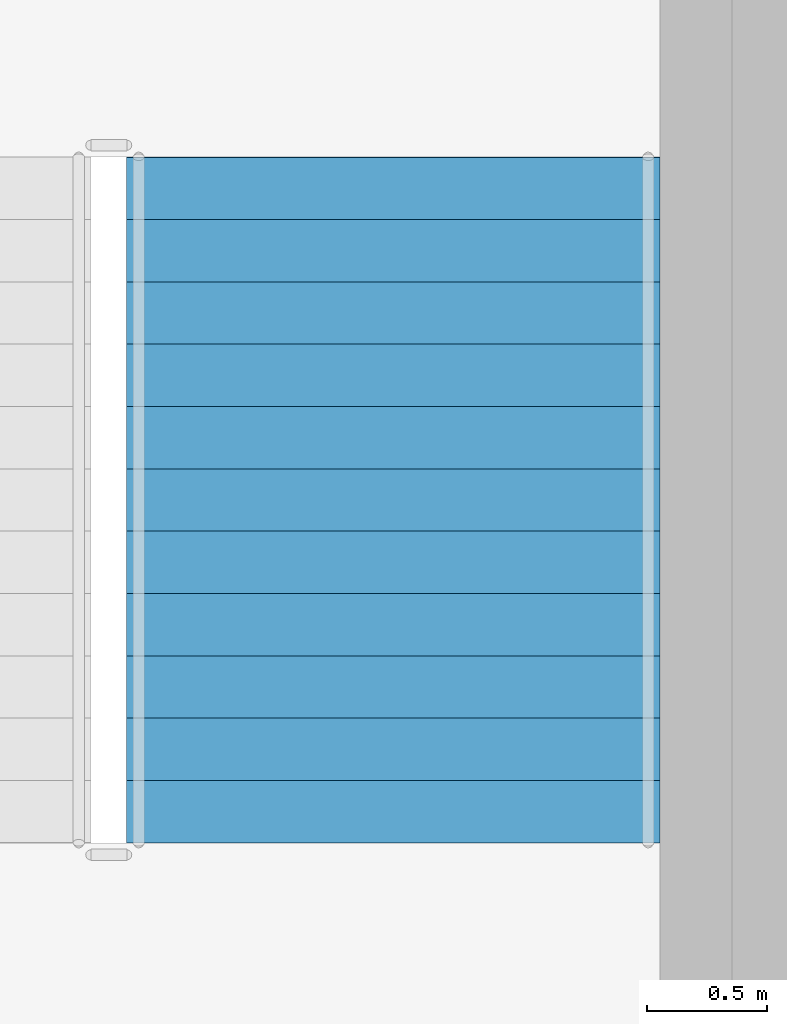
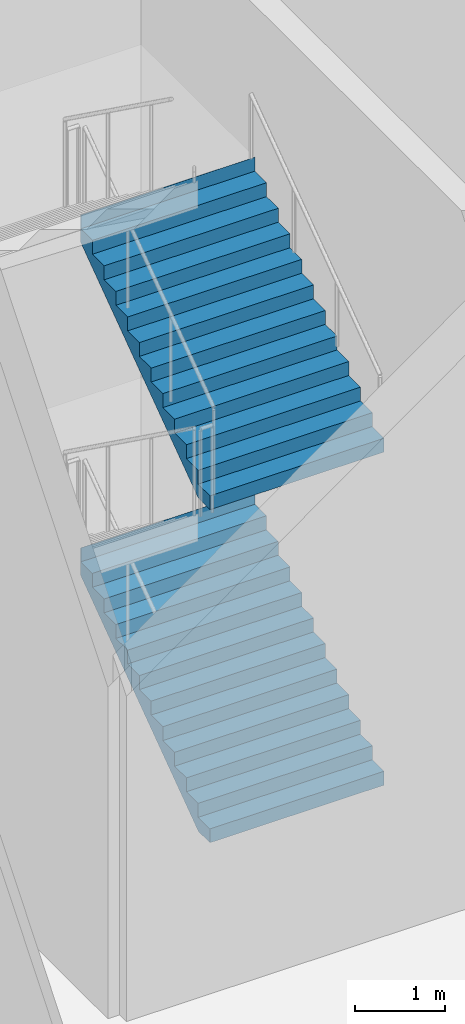
# One storey, part 26 of 35: 2 stair flights, 1 element without a shape of its own.
"""IFC4 building model written with IfcOpenShell, lengths in metres."""

from ifc_helpers import new_model, si_unit, direction, frame, origin, place, context, subcontext, project, spatial, triangles, material, type_object, element, aggregate, save


model = new_model("IFC4")

# Units and contexts
model_context = context("Model", 3, precision=1e-05, world=origin(), true_north=direction((0.0, 1.0)))
body_context = subcontext(model_context, "Body", "Model", "MODEL_VIEW")
ifc_project = project(units=[si_unit("LENGTHUNIT", "METRE"), si_unit("AREAUNIT", "SQUARE_METRE"), si_unit("VOLUMEUNIT", "CUBIC_METRE"), si_unit("PLANEANGLEUNIT", "RADIAN"), si_unit("MASSUNIT", "GRAM", prefix="KILO")], contexts=[model_context])

# Site, building, storey
site_placement = place(None, origin())
site = spatial("IfcSite", under=ifc_project, at=site_placement, CompositionType="ELEMENT")
building_placement = place(site_placement, origin())
building = spatial("IfcBuilding", under=site, at=building_placement, Name="Sahrelin Media Tower", CompositionType="ELEMENT")
storey_placement = place(building_placement, frame((0.0, 0.0, 8.0)))
storey = spatial("IfcBuildingStorey", under=building, at=storey_placement, Name="L01", CompositionType="ELEMENT", Elevation=8.0)

# Stair, stair flights
ifc_material = material(Name="Concrete C40/50", Category="concrete")
stair_type = type_object("IfcStairType", Name="Podium stair 2225", PredefinedType="HALF_TURN_STAIR", material=ifc_material)
stair_placement = place(storey_placement, origin())
stair = element("IfcStair", 1, at=stair_placement, inside=storey, type_object=stair_type, Name="L01 Podium stair PS1", PredefinedType="HALF_TURN_STAIR")
stair_flight_type = type_object("IfcStairFlightType", Name="Stair flight 2225", PredefinedType="STRAIGHT", material=ifc_material)
stair_flight_1_placement = place(storey_placement, frame((11.83740234375, 30.625, 0.0), z_axis=(0.0, 0.0, 1.0), x_axis=(0.0, 1.0, 0.0)))
stair_flight_1 = element("IfcStairFlight", 2, at=stair_flight_1_placement, type_object=stair_flight_type, Name="PS1 flight 1", NumberOfRisers=12, NumberOfTreads=11, PredefinedType="STRAIGHT", RiserHeight=0.1875, TreadLength=0.26, context=body_context, shape_type="Tessellation", body=[
    triangles([(0.25634765625, 1.112548828125, 0.0), (0.25634765625, 0.794677734375, 0.0), (0.25634765625, 0.476806640625, 0.0), (0.25634765625, 0.158935546875, 0.0), (0.25634765625, -0.158935546875, 0.0), (0.25634765625, -0.476806640625, 0.0), (0.25634765625, -0.794677734375, 0.0), (0.25634765625, -1.112548828125, 0.0), (2.860107421875, 1.112548828125, 1.877685546875), (2.860107421875, 0.794677734375, 1.877685546875), (2.860107421875, 0.476806640625, 1.877685546875), (2.860107421875, 0.158935546875, 1.877685546875), (2.860107421875, -0.158935546875, 1.877685546875), (2.860107421875, -0.476806640625, 1.877685546875), (2.860107421875, -0.794677734375, 1.877685546875), (2.860107421875, -1.112548828125, 1.877685546875), (2.860107421875, 1.112548828125, 2.25), (2.860107421875, 0.794677734375, 2.25), (2.860107421875, 0.476806640625, 2.25), (2.860107421875, 0.158935546875, 2.25), (2.860107421875, -0.158935546875, 2.25), (2.860107421875, -0.476806640625, 2.25), (2.860107421875, -0.794677734375, 2.25), (2.860107421875, -1.112548828125, 2.25), (2.85791015625, 1.112548828125, 2.25), (2.85791015625, 0.794677734375, 2.25), (2.85791015625, 0.476806640625, 2.25), (2.85791015625, 0.158935546875, 2.25), (2.85791015625, -0.158935546875, 2.25), (2.85791015625, -0.476806640625, 2.25), (2.85791015625, -0.794677734375, 2.25), (2.85791015625, -1.112548828125, 2.25), (2.85791015625, 1.112548828125, 2.0625), (2.85791015625, 0.794677734375, 2.0625), (2.85791015625, 0.476806640625, 2.0625), (2.85791015625, 0.158935546875, 2.0625), (2.85791015625, -0.158935546875, 2.0625), (2.85791015625, -0.476806640625, 2.0625), (2.85791015625, -0.794677734375, 2.0625), (2.85791015625, -1.112548828125, 2.0625), (2.60009765625, 1.112548828125, 2.0625), (2.60009765625, 0.794677734375, 2.0625), (2.60009765625, 0.476806640625, 2.0625), (2.60009765625, 0.158935546875, 2.0625), (2.60009765625, -0.158935546875, 2.0625), (2.60009765625, -0.476806640625, 2.0625), (2.60009765625, -0.794677734375, 2.0625), (2.60009765625, -1.112548828125, 2.0625), (2.60009765625, 1.112548828125, 1.875), (2.60009765625, 0.794677734375, 1.875), (2.60009765625, 0.476806640625, 1.875), (2.60009765625, 0.158935546875, 1.875), (2.60009765625, -0.158935546875, 1.875), (2.60009765625, -0.476806640625, 1.875), (2.60009765625, -0.794677734375, 1.875), (2.60009765625, -1.112548828125, 1.875), (2.340087890625, 1.112548828125, 1.875), (2.340087890625, 0.794677734375, 1.875), (2.340087890625, 0.476806640625, 1.875), (2.340087890625, 0.158935546875, 1.875), (2.340087890625, -0.158935546875, 1.875), (2.340087890625, -0.476806640625, 1.875), (2.340087890625, -0.794677734375, 1.875), (2.340087890625, -1.112548828125, 1.875), (2.340087890625, 1.112548828125, 1.6875), (2.340087890625, 0.794677734375, 1.6875), (2.340087890625, 0.476806640625, 1.6875), (2.340087890625, 0.158935546875, 1.6875), (2.340087890625, -0.158935546875, 1.6875), (2.340087890625, -0.476806640625, 1.6875), (2.340087890625, -0.794677734375, 1.6875), (2.340087890625, -1.112548828125, 1.6875), (2.080078125, 1.112548828125, 1.6875), (2.080078125, 0.794677734375, 1.6875), (2.080078125, 0.476806640625, 1.6875), (2.080078125, 0.158935546875, 1.6875), (2.080078125, -0.158935546875, 1.6875), (2.080078125, -0.476806640625, 1.6875), (2.080078125, -0.794677734375, 1.6875), (2.080078125, -1.112548828125, 1.6875), (2.080078125, 1.112548828125, 1.5), (2.080078125, 0.794677734375, 1.5), (2.080078125, 0.476806640625, 1.5), (2.080078125, 0.158935546875, 1.5), (2.080078125, -0.158935546875, 1.5), (2.080078125, -0.476806640625, 1.5), (2.080078125, -0.794677734375, 1.5), (2.080078125, -1.112548828125, 1.5), (1.820068359375, 1.112548828125, 1.5), (1.820068359375, 0.794677734375, 1.5), (1.820068359375, 0.476806640625, 1.5), (1.820068359375, 0.158935546875, 1.5), (1.820068359375, -0.158935546875, 1.5), (1.820068359375, -0.476806640625, 1.5), (1.820068359375, -0.794677734375, 1.5), (1.820068359375, -1.112548828125, 1.5), (1.820068359375, 1.112548828125, 1.3125), (1.820068359375, 0.794677734375, 1.3125), (1.820068359375, 0.476806640625, 1.3125), (1.820068359375, 0.158935546875, 1.3125), (1.820068359375, -0.158935546875, 1.3125), (1.820068359375, -0.476806640625, 1.3125), (1.820068359375, -0.794677734375, 1.3125), (1.820068359375, -1.112548828125, 1.3125), (1.56005859375, 1.112548828125, 1.3125), (1.56005859375, 0.794677734375, 1.3125), (1.56005859375, 0.476806640625, 1.3125), (1.56005859375, 0.158935546875, 1.3125), (1.56005859375, -0.158935546875, 1.3125), (1.56005859375, -0.476806640625, 1.3125), (1.56005859375, -0.794677734375, 1.3125), (1.56005859375, -1.112548828125, 1.3125), (1.56005859375, 1.112548828125, 1.125), (1.56005859375, 0.794677734375, 1.125), (1.56005859375, 0.476806640625, 1.125), (1.56005859375, 0.158935546875, 1.125), (1.56005859375, -0.158935546875, 1.125), (1.56005859375, -0.476806640625, 1.125), (1.56005859375, -0.794677734375, 1.125), (1.56005859375, -1.112548828125, 1.125), (1.300048828125, 1.112548828125, 1.125), (1.300048828125, 0.794677734375, 1.125), (1.300048828125, 0.476806640625, 1.125), (1.300048828125, 0.158935546875, 1.125), (1.300048828125, -0.158935546875, 1.125), (1.300048828125, -0.476806640625, 1.125), (1.300048828125, -0.794677734375, 1.125), (1.300048828125, -1.112548828125, 1.125), (1.300048828125, 1.112548828125, 0.9375), (1.300048828125, 0.794677734375, 0.9375), (1.300048828125, 0.476806640625, 0.9375), (1.300048828125, 0.158935546875, 0.9375), (1.300048828125, -0.158935546875, 0.9375), (1.300048828125, -0.476806640625, 0.9375), (1.300048828125, -0.794677734375, 0.9375), (1.300048828125, -1.112548828125, 0.9375), (1.0400390625, 1.112548828125, 0.9375), (1.0400390625, 0.794677734375, 0.9375), (1.0400390625, 0.476806640625, 0.9375), (1.0400390625, 0.158935546875, 0.9375), (1.0400390625, -0.158935546875, 0.9375), (1.0400390625, -0.476806640625, 0.9375), (1.0400390625, -0.794677734375, 0.9375), (1.0400390625, -1.112548828125, 0.9375), (1.0400390625, 1.112548828125, 0.75), (1.0400390625, 0.794677734375, 0.75), (1.0400390625, 0.476806640625, 0.75), (1.0400390625, 0.158935546875, 0.75), (1.0400390625, -0.158935546875, 0.75), (1.0400390625, -0.476806640625, 0.75), (1.0400390625, -0.794677734375, 0.75), (1.0400390625, -1.112548828125, 0.75), (0.780029296875, 1.112548828125, 0.75), (0.780029296875, 0.794677734375, 0.75), (0.780029296875, 0.476806640625, 0.75), (0.780029296875, 0.158935546875, 0.75), (0.780029296875, -0.158935546875, 0.75), (0.780029296875, -0.476806640625, 0.75), (0.780029296875, -0.794677734375, 0.75), (0.780029296875, -1.112548828125, 0.75), (0.780029296875, 1.112548828125, 0.5625), (0.780029296875, 0.794677734375, 0.5625), (0.780029296875, 0.476806640625, 0.5625), (0.780029296875, 0.158935546875, 0.5625), (0.780029296875, -0.158935546875, 0.5625), (0.780029296875, -0.476806640625, 0.5625), (0.780029296875, -0.794677734375, 0.5625), (0.780029296875, -1.112548828125, 0.5625), (0.52001953125, 1.112548828125, 0.5625), (0.52001953125, 0.794677734375, 0.5625), (0.52001953125, 0.476806640625, 0.5625), (0.52001953125, 0.158935546875, 0.5625), (0.52001953125, -0.158935546875, 0.5625), (0.52001953125, -0.476806640625, 0.5625), (0.52001953125, -0.794677734375, 0.5625), (0.52001953125, -1.112548828125, 0.5625), (0.52001953125, 1.112548828125, 0.375), (0.52001953125, 0.794677734375, 0.375), (0.52001953125, 0.476806640625, 0.375), (0.52001953125, 0.158935546875, 0.375), (0.52001953125, -0.158935546875, 0.375), (0.52001953125, -0.476806640625, 0.375), (0.52001953125, -0.794677734375, 0.375), (0.52001953125, -1.112548828125, 0.375), (0.260009765625, 1.112548828125, 0.375), (0.260009765625, 0.794677734375, 0.375), (0.260009765625, 0.476806640625, 0.375), (0.260009765625, 0.158935546875, 0.375), (0.260009765625, -0.158935546875, 0.375), (0.260009765625, -0.476806640625, 0.375), (0.260009765625, -0.794677734375, 0.375), (0.260009765625, -1.112548828125, 0.375), (0.260009765625, 1.112548828125, 0.1875), (0.260009765625, 0.794677734375, 0.1875), (0.260009765625, 0.476806640625, 0.1875), (0.260009765625, 0.158935546875, 0.1875), (0.260009765625, -0.158935546875, 0.1875), (0.260009765625, -0.476806640625, 0.1875), (0.260009765625, -0.794677734375, 0.1875), (0.260009765625, -1.112548828125, 0.1875), (0.0, 1.112548828125, 0.1875), (0.0, 0.794677734375, 0.1875), (0.0, 0.476806640625, 0.1875), (0.0, 0.158935546875, 0.1875), (0.0, -0.158935546875, 0.1875), (0.0, -0.476806640625, 0.1875), (0.0, -0.794677734375, 0.1875), (0.0, -1.112548828125, 0.1875), (0.0, 1.112548828125, 0.0), (0.0, 0.794677734375, 0.0), (0.0, 0.476806640625, 0.0), (0.0, 0.158935546875, 0.0), (0.0, -0.158935546875, 0.0), (0.0, -0.476806640625, 0.0), (0.0, -0.794677734375, 0.0), (0.0, -1.112548828125, 0.0)], [[1, 9, 10], [1, 10, 2], [2, 10, 11], [2, 11, 3], [3, 11, 12], [3, 12, 4], [4, 12, 13], [4, 13, 5], [5, 13, 14], [5, 14, 6], [6, 14, 15], [6, 15, 7], [7, 15, 16], [7, 16, 8], [9, 17, 18], [9, 18, 10], [10, 18, 19], [10, 19, 11], [11, 19, 20], [11, 20, 12], [12, 20, 21], [12, 21, 13], [13, 21, 22], [13, 22, 14], [14, 22, 23], [14, 23, 15], [15, 23, 24], [15, 24, 16], [17, 25, 26], [17, 26, 18], [18, 26, 27], [18, 27, 19], [19, 27, 28], [19, 28, 20], [20, 28, 29], [20, 29, 21], [21, 29, 30], [21, 30, 22], [22, 30, 31], [22, 31, 23], [23, 31, 32], [23, 32, 24], [25, 33, 34], [25, 34, 26], [26, 34, 35], [26, 35, 27], [27, 35, 36], [27, 36, 28], [28, 36, 37], [28, 37, 29], [29, 37, 38], [29, 38, 30], [30, 38, 39], [30, 39, 31], [31, 39, 40], [31, 40, 32], [33, 41, 42], [33, 42, 34], [34, 42, 43], [34, 43, 35], [35, 43, 44], [35, 44, 36], [36, 44, 45], [36, 45, 37], [37, 45, 46], [37, 46, 38], [38, 46, 47], [38, 47, 39], [39, 47, 48], [39, 48, 40], [41, 49, 50], [41, 50, 42], [42, 50, 51], [42, 51, 43], [43, 51, 52], [43, 52, 44], [44, 52, 53], [44, 53, 45], [45, 53, 54], [45, 54, 46], [46, 54, 55], [46, 55, 47], [47, 55, 56], [47, 56, 48], [49, 57, 58], [49, 58, 50], [50, 58, 59], [50, 59, 51], [51, 59, 60], [51, 60, 52], [52, 60, 61], [52, 61, 53], [53, 61, 62], [53, 62, 54], [54, 62, 63], [54, 63, 55], [55, 63, 64], [55, 64, 56], [57, 65, 66], [57, 66, 58], [58, 66, 67], [58, 67, 59], [59, 67, 68], [59, 68, 60], [60, 68, 69], [60, 69, 61], [61, 69, 70], [61, 70, 62], [62, 70, 71], [62, 71, 63], [63, 71, 72], [63, 72, 64], [65, 73, 74], [65, 74, 66], [66, 74, 75], [66, 75, 67], [67, 75, 76], [67, 76, 68], [68, 76, 77], [68, 77, 69], [69, 77, 78], [69, 78, 70], [70, 78, 79], [70, 79, 71], [71, 79, 80], [71, 80, 72], [73, 81, 82], [73, 82, 74], [74, 82, 83], [74, 83, 75], [75, 83, 84], [75, 84, 76], [76, 84, 85], [76, 85, 77], [77, 85, 86], [77, 86, 78], [78, 86, 87], [78, 87, 79], [79, 87, 88], [79, 88, 80], [81, 89, 90], [81, 90, 82], [82, 90, 91], [82, 91, 83], [83, 91, 92], [83, 92, 84], [84, 92, 93], [84, 93, 85], [85, 93, 94], [85, 94, 86], [86, 94, 95], [86, 95, 87], [87, 95, 96], [87, 96, 88], [89, 97, 98], [89, 98, 90], [90, 98, 99], [90, 99, 91], [91, 99, 100], [91, 100, 92], [92, 100, 101], [92, 101, 93], [93, 101, 102], [93, 102, 94], [94, 102, 103], [94, 103, 95], [95, 103, 104], [95, 104, 96], [97, 105, 106], [97, 106, 98], [98, 106, 107], [98, 107, 99], [99, 107, 108], [99, 108, 100], [100, 108, 109], [100, 109, 101], [101, 109, 110], [101, 110, 102], [102, 110, 111], [102, 111, 103], [103, 111, 112], [103, 112, 104], [105, 113, 114], [105, 114, 106], [106, 114, 115], [106, 115, 107], [107, 115, 116], [107, 116, 108], [108, 116, 117], [108, 117, 109], [109, 117, 118], [109, 118, 110], [110, 118, 119], [110, 119, 111], [111, 119, 120], [111, 120, 112], [113, 121, 122], [113, 122, 114], [114, 122, 123], [114, 123, 115], [115, 123, 124], [115, 124, 116], [116, 124, 125], [116, 125, 117], [117, 125, 126], [117, 126, 118], [118, 126, 127], [118, 127, 119], [119, 127, 128], [119, 128, 120], [121, 129, 130], [121, 130, 122], [122, 130, 131], [122, 131, 123], [123, 131, 132], [123, 132, 124], [124, 132, 133], [124, 133, 125], [125, 133, 134], [125, 134, 126], [126, 134, 135], [126, 135, 127], [127, 135, 136], [127, 136, 128], [129, 137, 138], [129, 138, 130], [130, 138, 139], [130, 139, 131], [131, 139, 140], [131, 140, 132], [132, 140, 141], [132, 141, 133], [133, 141, 142], [133, 142, 134], [134, 142, 143], [134, 143, 135], [135, 143, 144], [135, 144, 136], [137, 145, 146], [137, 146, 138], [138, 146, 147], [138, 147, 139], [139, 147, 148], [139, 148, 140], [140, 148, 149], [140, 149, 141], [141, 149, 150], [141, 150, 142], [142, 150, 151], [142, 151, 143], [143, 151, 152], [143, 152, 144], [145, 153, 154], [145, 154, 146], [146, 154, 155], [146, 155, 147], [147, 155, 156], [147, 156, 148], [148, 156, 157], [148, 157, 149], [149, 157, 158], [149, 158, 150], [150, 158, 159], [150, 159, 151], [151, 159, 160], [151, 160, 152], [153, 161, 162], [153, 162, 154], [154, 162, 163], [154, 163, 155], [155, 163, 164], [155, 164, 156], [156, 164, 165], [156, 165, 157], [157, 165, 166], [157, 166, 158], [158, 166, 167], [158, 167, 159], [159, 167, 168], [159, 168, 160], [161, 169, 170], [161, 170, 162], [162, 170, 171], [162, 171, 163], [163, 171, 172], [163, 172, 164], [164, 172, 173], [164, 173, 165], [165, 173, 174], [165, 174, 166], [166, 174, 175], [166, 175, 167], [167, 175, 176], [167, 176, 168], [169, 177, 178], [169, 178, 170], [170, 178, 179], [170, 179, 171], [171, 179, 180], [171, 180, 172], [172, 180, 181], [172, 181, 173], [173, 181, 182], [173, 182, 174], [174, 182, 183], [174, 183, 175], [175, 183, 184], [175, 184, 176], [177, 185, 186], [177, 186, 178], [178, 186, 187], [178, 187, 179], [179, 187, 188], [179, 188, 180], [180, 188, 189], [180, 189, 181], [181, 189, 190], [181, 190, 182], [182, 190, 191], [182, 191, 183], [183, 191, 192], [183, 192, 184], [185, 193, 194], [185, 194, 186], [186, 194, 195], [186, 195, 187], [187, 195, 196], [187, 196, 188], [188, 196, 197], [188, 197, 189], [189, 197, 198], [189, 198, 190], [190, 198, 199], [190, 199, 191], [191, 199, 200], [191, 200, 192], [193, 201, 202], [193, 202, 194], [194, 202, 203], [194, 203, 195], [195, 203, 204], [195, 204, 196], [196, 204, 205], [196, 205, 197], [197, 205, 206], [197, 206, 198], [198, 206, 207], [198, 207, 199], [199, 207, 208], [199, 208, 200], [201, 209, 210], [201, 210, 202], [202, 210, 211], [202, 211, 203], [203, 211, 212], [203, 212, 204], [204, 212, 213], [204, 213, 205], [205, 213, 214], [205, 214, 206], [206, 214, 215], [206, 215, 207], [207, 215, 216], [207, 216, 208], [209, 1, 2], [209, 2, 210], [210, 2, 3], [210, 3, 211], [211, 3, 4], [211, 4, 212], [212, 4, 5], [212, 5, 213], [213, 5, 6], [213, 6, 214], [214, 6, 7], [214, 7, 215], [215, 7, 8], [215, 8, 216], [8, 208, 216], [1, 209, 201], [200, 184, 192], [193, 185, 177], [184, 168, 176], [177, 169, 161], [168, 152, 160], [161, 153, 145], [152, 136, 144], [145, 137, 129], [136, 120, 128], [129, 121, 113], [120, 104, 112], [113, 105, 97], [104, 88, 96], [97, 89, 81], [88, 72, 80], [81, 73, 65], [72, 56, 64], [65, 57, 49], [56, 40, 48], [49, 41, 33], [40, 24, 32], [33, 25, 17], [8, 200, 208], [1, 201, 193], [16, 56, 72], [9, 65, 49], [40, 16, 24], [33, 17, 9], [184, 200, 8], [177, 1, 193], [56, 16, 40], [49, 33, 9], [168, 184, 8], [161, 1, 177], [72, 88, 16], [65, 9, 81], [152, 168, 8], [145, 1, 161], [104, 16, 88], [97, 81, 9], [136, 152, 8], [129, 1, 145], [120, 16, 104], [113, 97, 9], [120, 136, 8], [113, 1, 129], [8, 16, 120], [1, 113, 9]], closed=True),
])
stair_flight_2_placement = place(storey_placement, frame((11.83740234375, 30.625, 4.5), z_axis=(0.0, 0.0, 1.0), x_axis=(0.0, 1.0, 0.0)))
stair_flight_2 = element("IfcStairFlight", 3, at=stair_flight_2_placement, type_object=stair_flight_type, Name="PS1 flight 3", NumberOfRisers=12, NumberOfTreads=11, PredefinedType="STRAIGHT", RiserHeight=0.1875, TreadLength=0.26, context=body_context, shape_type="Tessellation", body=[
    triangles([(0.25634765625, 1.112548828125, 0.0), (0.25634765625, 0.794677734375, 0.0), (0.25634765625, 0.476806640625, 0.0), (0.25634765625, 0.158935546875, 0.0), (0.25634765625, -0.158935546875, 0.0), (0.25634765625, -0.476806640625, 0.0), (0.25634765625, -0.794677734375, 0.0), (0.25634765625, -1.112548828125, 0.0), (2.860107421875, 1.112548828125, 1.877685546875), (2.860107421875, 0.794677734375, 1.877685546875), (2.860107421875, 0.476806640625, 1.877685546875), (2.860107421875, 0.158935546875, 1.877685546875), (2.860107421875, -0.158935546875, 1.877685546875), (2.860107421875, -0.476806640625, 1.877685546875), (2.860107421875, -0.794677734375, 1.877685546875), (2.860107421875, -1.112548828125, 1.877685546875), (2.860107421875, 1.112548828125, 2.25), (2.860107421875, 0.794677734375, 2.25), (2.860107421875, 0.476806640625, 2.25), (2.860107421875, 0.158935546875, 2.25), (2.860107421875, -0.158935546875, 2.25), (2.860107421875, -0.476806640625, 2.25), (2.860107421875, -0.794677734375, 2.25), (2.860107421875, -1.112548828125, 2.25), (2.85791015625, 1.112548828125, 2.25), (2.85791015625, 0.794677734375, 2.25), (2.85791015625, 0.476806640625, 2.25), (2.85791015625, 0.158935546875, 2.25), (2.85791015625, -0.158935546875, 2.25), (2.85791015625, -0.476806640625, 2.25), (2.85791015625, -0.794677734375, 2.25), (2.85791015625, -1.112548828125, 2.25), (2.85791015625, 1.112548828125, 2.0625), (2.85791015625, 0.794677734375, 2.0625), (2.85791015625, 0.476806640625, 2.0625), (2.85791015625, 0.158935546875, 2.0625), (2.85791015625, -0.158935546875, 2.0625), (2.85791015625, -0.476806640625, 2.0625), (2.85791015625, -0.794677734375, 2.0625), (2.85791015625, -1.112548828125, 2.0625), (2.60009765625, 1.112548828125, 2.0625), (2.60009765625, 0.794677734375, 2.0625), (2.60009765625, 0.476806640625, 2.0625), (2.60009765625, 0.158935546875, 2.0625), (2.60009765625, -0.158935546875, 2.0625), (2.60009765625, -0.476806640625, 2.0625), (2.60009765625, -0.794677734375, 2.0625), (2.60009765625, -1.112548828125, 2.0625), (2.60009765625, 1.112548828125, 1.875), (2.60009765625, 0.794677734375, 1.875), (2.60009765625, 0.476806640625, 1.875), (2.60009765625, 0.158935546875, 1.875), (2.60009765625, -0.158935546875, 1.875), (2.60009765625, -0.476806640625, 1.875), (2.60009765625, -0.794677734375, 1.875), (2.60009765625, -1.112548828125, 1.875), (2.340087890625, 1.112548828125, 1.875), (2.340087890625, 0.794677734375, 1.875), (2.340087890625, 0.476806640625, 1.875), (2.340087890625, 0.158935546875, 1.875), (2.340087890625, -0.158935546875, 1.875), (2.340087890625, -0.476806640625, 1.875), (2.340087890625, -0.794677734375, 1.875), (2.340087890625, -1.112548828125, 1.875), (2.340087890625, 1.112548828125, 1.6875), (2.340087890625, 0.794677734375, 1.6875), (2.340087890625, 0.476806640625, 1.6875), (2.340087890625, 0.158935546875, 1.6875), (2.340087890625, -0.158935546875, 1.6875), (2.340087890625, -0.476806640625, 1.6875), (2.340087890625, -0.794677734375, 1.6875), (2.340087890625, -1.112548828125, 1.6875), (2.080078125, 1.112548828125, 1.6875), (2.080078125, 0.794677734375, 1.6875), (2.080078125, 0.476806640625, 1.6875), (2.080078125, 0.158935546875, 1.6875), (2.080078125, -0.158935546875, 1.6875), (2.080078125, -0.476806640625, 1.6875), (2.080078125, -0.794677734375, 1.6875), (2.080078125, -1.112548828125, 1.6875), (2.080078125, 1.112548828125, 1.5), (2.080078125, 0.794677734375, 1.5), (2.080078125, 0.476806640625, 1.5), (2.080078125, 0.158935546875, 1.5), (2.080078125, -0.158935546875, 1.5), (2.080078125, -0.476806640625, 1.5), (2.080078125, -0.794677734375, 1.5), (2.080078125, -1.112548828125, 1.5), (1.820068359375, 1.112548828125, 1.5), (1.820068359375, 0.794677734375, 1.5), (1.820068359375, 0.476806640625, 1.5), (1.820068359375, 0.158935546875, 1.5), (1.820068359375, -0.158935546875, 1.5), (1.820068359375, -0.476806640625, 1.5), (1.820068359375, -0.794677734375, 1.5), (1.820068359375, -1.112548828125, 1.5), (1.820068359375, 1.112548828125, 1.3125), (1.820068359375, 0.794677734375, 1.3125), (1.820068359375, 0.476806640625, 1.3125), (1.820068359375, 0.158935546875, 1.3125), (1.820068359375, -0.158935546875, 1.3125), (1.820068359375, -0.476806640625, 1.3125), (1.820068359375, -0.794677734375, 1.3125), (1.820068359375, -1.112548828125, 1.3125), (1.56005859375, 1.112548828125, 1.3125), (1.56005859375, 0.794677734375, 1.3125), (1.56005859375, 0.476806640625, 1.3125), (1.56005859375, 0.158935546875, 1.3125), (1.56005859375, -0.158935546875, 1.3125), (1.56005859375, -0.476806640625, 1.3125), (1.56005859375, -0.794677734375, 1.3125), (1.56005859375, -1.112548828125, 1.3125), (1.56005859375, 1.112548828125, 1.125), (1.56005859375, 0.794677734375, 1.125), (1.56005859375, 0.476806640625, 1.125), (1.56005859375, 0.158935546875, 1.125), (1.56005859375, -0.158935546875, 1.125), (1.56005859375, -0.476806640625, 1.125), (1.56005859375, -0.794677734375, 1.125), (1.56005859375, -1.112548828125, 1.125), (1.300048828125, 1.112548828125, 1.125), (1.300048828125, 0.794677734375, 1.125), (1.300048828125, 0.476806640625, 1.125), (1.300048828125, 0.158935546875, 1.125), (1.300048828125, -0.158935546875, 1.125), (1.300048828125, -0.476806640625, 1.125), (1.300048828125, -0.794677734375, 1.125), (1.300048828125, -1.112548828125, 1.125), (1.300048828125, 1.112548828125, 0.9375), (1.300048828125, 0.794677734375, 0.9375), (1.300048828125, 0.476806640625, 0.9375), (1.300048828125, 0.158935546875, 0.9375), (1.300048828125, -0.158935546875, 0.9375), (1.300048828125, -0.476806640625, 0.9375), (1.300048828125, -0.794677734375, 0.9375), (1.300048828125, -1.112548828125, 0.9375), (1.0400390625, 1.112548828125, 0.9375), (1.0400390625, 0.794677734375, 0.9375), (1.0400390625, 0.476806640625, 0.9375), (1.0400390625, 0.158935546875, 0.9375), (1.0400390625, -0.158935546875, 0.9375), (1.0400390625, -0.476806640625, 0.9375), (1.0400390625, -0.794677734375, 0.9375), (1.0400390625, -1.112548828125, 0.9375), (1.0400390625, 1.112548828125, 0.75), (1.0400390625, 0.794677734375, 0.75), (1.0400390625, 0.476806640625, 0.75), (1.0400390625, 0.158935546875, 0.75), (1.0400390625, -0.158935546875, 0.75), (1.0400390625, -0.476806640625, 0.75), (1.0400390625, -0.794677734375, 0.75), (1.0400390625, -1.112548828125, 0.75), (0.780029296875, 1.112548828125, 0.75), (0.780029296875, 0.794677734375, 0.75), (0.780029296875, 0.476806640625, 0.75), (0.780029296875, 0.158935546875, 0.75), (0.780029296875, -0.158935546875, 0.75), (0.780029296875, -0.476806640625, 0.75), (0.780029296875, -0.794677734375, 0.75), (0.780029296875, -1.112548828125, 0.75), (0.780029296875, 1.112548828125, 0.5625), (0.780029296875, 0.794677734375, 0.5625), (0.780029296875, 0.476806640625, 0.5625), (0.780029296875, 0.158935546875, 0.5625), (0.780029296875, -0.158935546875, 0.5625), (0.780029296875, -0.476806640625, 0.5625), (0.780029296875, -0.794677734375, 0.5625), (0.780029296875, -1.112548828125, 0.5625), (0.52001953125, 1.112548828125, 0.5625), (0.52001953125, 0.794677734375, 0.5625), (0.52001953125, 0.476806640625, 0.5625), (0.52001953125, 0.158935546875, 0.5625), (0.52001953125, -0.158935546875, 0.5625), (0.52001953125, -0.476806640625, 0.5625), (0.52001953125, -0.794677734375, 0.5625), (0.52001953125, -1.112548828125, 0.5625), (0.52001953125, 1.112548828125, 0.375), (0.52001953125, 0.794677734375, 0.375), (0.52001953125, 0.476806640625, 0.375), (0.52001953125, 0.158935546875, 0.375), (0.52001953125, -0.158935546875, 0.375), (0.52001953125, -0.476806640625, 0.375), (0.52001953125, -0.794677734375, 0.375), (0.52001953125, -1.112548828125, 0.375), (0.260009765625, 1.112548828125, 0.375), (0.260009765625, 0.794677734375, 0.375), (0.260009765625, 0.476806640625, 0.375), (0.260009765625, 0.158935546875, 0.375), (0.260009765625, -0.158935546875, 0.375), (0.260009765625, -0.476806640625, 0.375), (0.260009765625, -0.794677734375, 0.375), (0.260009765625, -1.112548828125, 0.375), (0.260009765625, 1.112548828125, 0.1875), (0.260009765625, 0.794677734375, 0.1875), (0.260009765625, 0.476806640625, 0.1875), (0.260009765625, 0.158935546875, 0.1875), (0.260009765625, -0.158935546875, 0.1875), (0.260009765625, -0.476806640625, 0.1875), (0.260009765625, -0.794677734375, 0.1875), (0.260009765625, -1.112548828125, 0.1875), (0.0, 1.112548828125, 0.1875), (0.0, 0.794677734375, 0.1875), (0.0, 0.476806640625, 0.1875), (0.0, 0.158935546875, 0.1875), (0.0, -0.158935546875, 0.1875), (0.0, -0.476806640625, 0.1875), (0.0, -0.794677734375, 0.1875), (0.0, -1.112548828125, 0.1875), (0.0, 1.112548828125, 0.0), (0.0, 0.794677734375, 0.0), (0.0, 0.476806640625, 0.0), (0.0, 0.158935546875, 0.0), (0.0, -0.158935546875, 0.0), (0.0, -0.476806640625, 0.0), (0.0, -0.794677734375, 0.0), (0.0, -1.112548828125, 0.0)], [[1, 9, 10], [1, 10, 2], [2, 10, 11], [2, 11, 3], [3, 11, 12], [3, 12, 4], [4, 12, 13], [4, 13, 5], [5, 13, 14], [5, 14, 6], [6, 14, 15], [6, 15, 7], [7, 15, 16], [7, 16, 8], [9, 17, 18], [9, 18, 10], [10, 18, 19], [10, 19, 11], [11, 19, 20], [11, 20, 12], [12, 20, 21], [12, 21, 13], [13, 21, 22], [13, 22, 14], [14, 22, 23], [14, 23, 15], [15, 23, 24], [15, 24, 16], [17, 25, 26], [17, 26, 18], [18, 26, 27], [18, 27, 19], [19, 27, 28], [19, 28, 20], [20, 28, 29], [20, 29, 21], [21, 29, 30], [21, 30, 22], [22, 30, 31], [22, 31, 23], [23, 31, 32], [23, 32, 24], [25, 33, 34], [25, 34, 26], [26, 34, 35], [26, 35, 27], [27, 35, 36], [27, 36, 28], [28, 36, 37], [28, 37, 29], [29, 37, 38], [29, 38, 30], [30, 38, 39], [30, 39, 31], [31, 39, 40], [31, 40, 32], [33, 41, 42], [33, 42, 34], [34, 42, 43], [34, 43, 35], [35, 43, 44], [35, 44, 36], [36, 44, 45], [36, 45, 37], [37, 45, 46], [37, 46, 38], [38, 46, 47], [38, 47, 39], [39, 47, 48], [39, 48, 40], [41, 49, 50], [41, 50, 42], [42, 50, 51], [42, 51, 43], [43, 51, 52], [43, 52, 44], [44, 52, 53], [44, 53, 45], [45, 53, 54], [45, 54, 46], [46, 54, 55], [46, 55, 47], [47, 55, 56], [47, 56, 48], [49, 57, 58], [49, 58, 50], [50, 58, 59], [50, 59, 51], [51, 59, 60], [51, 60, 52], [52, 60, 61], [52, 61, 53], [53, 61, 62], [53, 62, 54], [54, 62, 63], [54, 63, 55], [55, 63, 64], [55, 64, 56], [57, 65, 66], [57, 66, 58], [58, 66, 67], [58, 67, 59], [59, 67, 68], [59, 68, 60], [60, 68, 69], [60, 69, 61], [61, 69, 70], [61, 70, 62], [62, 70, 71], [62, 71, 63], [63, 71, 72], [63, 72, 64], [65, 73, 74], [65, 74, 66], [66, 74, 75], [66, 75, 67], [67, 75, 76], [67, 76, 68], [68, 76, 77], [68, 77, 69], [69, 77, 78], [69, 78, 70], [70, 78, 79], [70, 79, 71], [71, 79, 80], [71, 80, 72], [73, 81, 82], [73, 82, 74], [74, 82, 83], [74, 83, 75], [75, 83, 84], [75, 84, 76], [76, 84, 85], [76, 85, 77], [77, 85, 86], [77, 86, 78], [78, 86, 87], [78, 87, 79], [79, 87, 88], [79, 88, 80], [81, 89, 90], [81, 90, 82], [82, 90, 91], [82, 91, 83], [83, 91, 92], [83, 92, 84], [84, 92, 93], [84, 93, 85], [85, 93, 94], [85, 94, 86], [86, 94, 95], [86, 95, 87], [87, 95, 96], [87, 96, 88], [89, 97, 98], [89, 98, 90], [90, 98, 99], [90, 99, 91], [91, 99, 100], [91, 100, 92], [92, 100, 101], [92, 101, 93], [93, 101, 102], [93, 102, 94], [94, 102, 103], [94, 103, 95], [95, 103, 104], [95, 104, 96], [97, 105, 106], [97, 106, 98], [98, 106, 107], [98, 107, 99], [99, 107, 108], [99, 108, 100], [100, 108, 109], [100, 109, 101], [101, 109, 110], [101, 110, 102], [102, 110, 111], [102, 111, 103], [103, 111, 112], [103, 112, 104], [105, 113, 114], [105, 114, 106], [106, 114, 115], [106, 115, 107], [107, 115, 116], [107, 116, 108], [108, 116, 117], [108, 117, 109], [109, 117, 118], [109, 118, 110], [110, 118, 119], [110, 119, 111], [111, 119, 120], [111, 120, 112], [113, 121, 122], [113, 122, 114], [114, 122, 123], [114, 123, 115], [115, 123, 124], [115, 124, 116], [116, 124, 125], [116, 125, 117], [117, 125, 126], [117, 126, 118], [118, 126, 127], [118, 127, 119], [119, 127, 128], [119, 128, 120], [121, 129, 130], [121, 130, 122], [122, 130, 131], [122, 131, 123], [123, 131, 132], [123, 132, 124], [124, 132, 133], [124, 133, 125], [125, 133, 134], [125, 134, 126], [126, 134, 135], [126, 135, 127], [127, 135, 136], [127, 136, 128], [129, 137, 138], [129, 138, 130], [130, 138, 139], [130, 139, 131], [131, 139, 140], [131, 140, 132], [132, 140, 141], [132, 141, 133], [133, 141, 142], [133, 142, 134], [134, 142, 143], [134, 143, 135], [135, 143, 144], [135, 144, 136], [137, 145, 146], [137, 146, 138], [138, 146, 147], [138, 147, 139], [139, 147, 148], [139, 148, 140], [140, 148, 149], [140, 149, 141], [141, 149, 150], [141, 150, 142], [142, 150, 151], [142, 151, 143], [143, 151, 152], [143, 152, 144], [145, 153, 154], [145, 154, 146], [146, 154, 155], [146, 155, 147], [147, 155, 156], [147, 156, 148], [148, 156, 157], [148, 157, 149], [149, 157, 158], [149, 158, 150], [150, 158, 159], [150, 159, 151], [151, 159, 160], [151, 160, 152], [153, 161, 162], [153, 162, 154], [154, 162, 163], [154, 163, 155], [155, 163, 164], [155, 164, 156], [156, 164, 165], [156, 165, 157], [157, 165, 166], [157, 166, 158], [158, 166, 167], [158, 167, 159], [159, 167, 168], [159, 168, 160], [161, 169, 170], [161, 170, 162], [162, 170, 171], [162, 171, 163], [163, 171, 172], [163, 172, 164], [164, 172, 173], [164, 173, 165], [165, 173, 174], [165, 174, 166], [166, 174, 175], [166, 175, 167], [167, 175, 176], [167, 176, 168], [169, 177, 178], [169, 178, 170], [170, 178, 179], [170, 179, 171], [171, 179, 180], [171, 180, 172], [172, 180, 181], [172, 181, 173], [173, 181, 182], [173, 182, 174], [174, 182, 183], [174, 183, 175], [175, 183, 184], [175, 184, 176], [177, 185, 186], [177, 186, 178], [178, 186, 187], [178, 187, 179], [179, 187, 188], [179, 188, 180], [180, 188, 189], [180, 189, 181], [181, 189, 190], [181, 190, 182], [182, 190, 191], [182, 191, 183], [183, 191, 192], [183, 192, 184], [185, 193, 194], [185, 194, 186], [186, 194, 195], [186, 195, 187], [187, 195, 196], [187, 196, 188], [188, 196, 197], [188, 197, 189], [189, 197, 198], [189, 198, 190], [190, 198, 199], [190, 199, 191], [191, 199, 200], [191, 200, 192], [193, 201, 202], [193, 202, 194], [194, 202, 203], [194, 203, 195], [195, 203, 204], [195, 204, 196], [196, 204, 205], [196, 205, 197], [197, 205, 206], [197, 206, 198], [198, 206, 207], [198, 207, 199], [199, 207, 208], [199, 208, 200], [201, 209, 210], [201, 210, 202], [202, 210, 211], [202, 211, 203], [203, 211, 212], [203, 212, 204], [204, 212, 213], [204, 213, 205], [205, 213, 214], [205, 214, 206], [206, 214, 215], [206, 215, 207], [207, 215, 216], [207, 216, 208], [209, 1, 2], [209, 2, 210], [210, 2, 3], [210, 3, 211], [211, 3, 4], [211, 4, 212], [212, 4, 5], [212, 5, 213], [213, 5, 6], [213, 6, 214], [214, 6, 7], [214, 7, 215], [215, 7, 8], [215, 8, 216], [8, 208, 216], [1, 209, 201], [200, 184, 192], [193, 185, 177], [184, 168, 176], [177, 169, 161], [168, 152, 160], [161, 153, 145], [152, 136, 144], [145, 137, 129], [136, 120, 128], [129, 121, 113], [120, 104, 112], [113, 105, 97], [104, 88, 96], [97, 89, 81], [88, 72, 80], [81, 73, 65], [72, 56, 64], [65, 57, 49], [56, 40, 48], [49, 41, 33], [40, 24, 32], [33, 25, 17], [8, 200, 208], [1, 201, 193], [16, 56, 72], [9, 65, 49], [40, 16, 24], [33, 17, 9], [184, 200, 8], [177, 1, 193], [56, 16, 40], [49, 33, 9], [168, 184, 8], [161, 1, 177], [72, 88, 16], [65, 9, 81], [152, 168, 8], [145, 1, 161], [104, 16, 88], [97, 81, 9], [136, 152, 8], [129, 1, 145], [120, 16, 104], [113, 97, 9], [120, 136, 8], [113, 1, 129], [8, 16, 120], [1, 113, 9]], closed=True),
])
aggregate(stair, [stair_flight_1, stair_flight_2])

save(model, "model.ifc")
